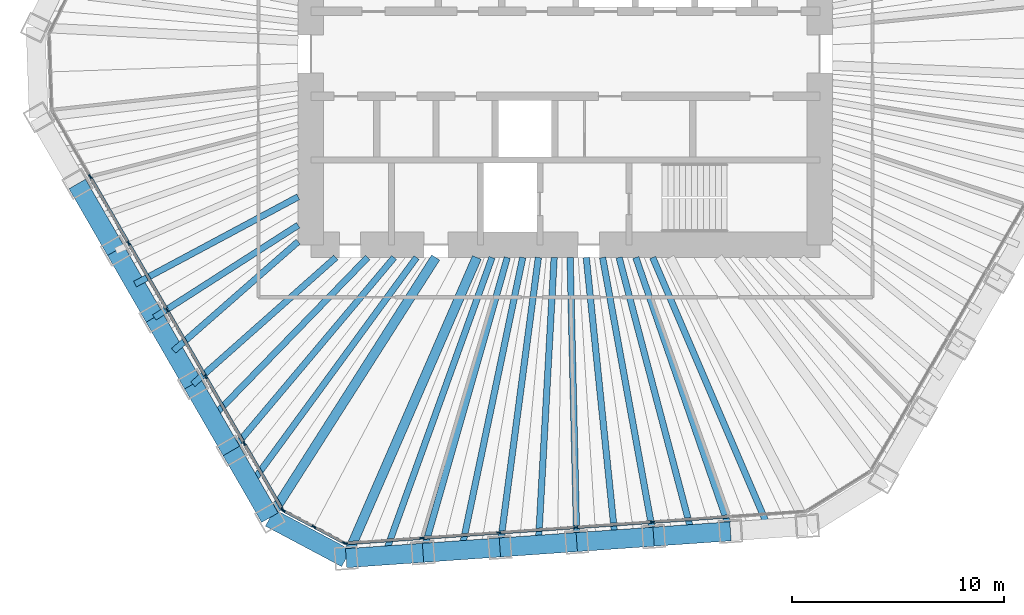
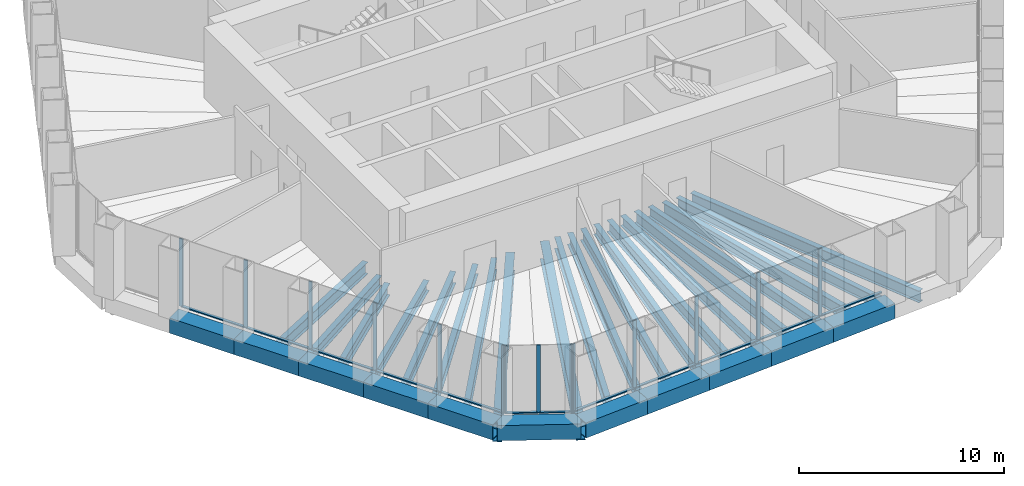
# One storey, part 2 of 13: 31 beams, 26 members, 3 elements without a shape of their own.
"""IFC4 building model written with IfcOpenShell, lengths in metres."""

from ifc_helpers import new_model, si_unit, direction, frame, origin, origin_2d, place, context, subcontext, project, spatial, rectangle, hollow_rectangle, i_section, extrude, material, material_profile, profile_set, type_object, element, aggregate, save


model = new_model("IFC4")

# Units and contexts
model_context = context("Model", 3, precision=1e-05, world=origin(), true_north=direction((0.0, 1.0)))
body_context = subcontext(model_context, "Body", "Model", "MODEL_VIEW")
ifc_project = project(units=[si_unit("LENGTHUNIT", "METRE"), si_unit("AREAUNIT", "SQUARE_METRE"), si_unit("VOLUMEUNIT", "CUBIC_METRE"), si_unit("PLANEANGLEUNIT", "RADIAN"), si_unit("MASSUNIT", "GRAM", prefix="KILO")], contexts=[model_context])

# Site, building, storey
site_placement = place(None, origin())
site = spatial("IfcSite", under=ifc_project, at=site_placement, CompositionType="ELEMENT")
building_placement = place(site_placement, origin())
building = spatial("IfcBuilding", under=site, at=building_placement, Name="Qingtian Harvest Tower", CompositionType="ELEMENT")
storey_placement = place(building_placement, frame((0.0, 0.0, 205.60009765625)))
storey = spatial("IfcBuildingStorey", under=building, at=storey_placement, Name="L44", CompositionType="ELEMENT", Elevation=205.60009765625)

# Beams
ifc_material_1 = material(Name="Steel SM570MC", Category="steel")
ifc_material_profile_1 = material_profile(ifc_material_1, i_section(OverallWidth=0.449951171875, OverallDepth=1.10009765625, WebThickness=0.02197265625, FlangeThickness=0.044921875, at=origin_2d()), Name="H1100x450x22x45")
ifc_profile_set_1 = profile_set([ifc_material_profile_1], Name="Steel SM570MC")
beam_type_1 = type_object("IfcBeamType", Name="Corner floor beam FB8 H1100x450x22x45", PredefinedType="BEAM", material=ifc_profile_set_1)
beam_1_placement = place(storey_placement, frame((-10.33837890625, -23.779052734375, -0.72021484375), z_axis=(0.398714563353, 0.917075077063, 0.0), x_axis=(-0.917075077063, 0.398714563353, 0.0)))
element("IfcBeam", 1, at=beam_1_placement, inside=storey, type_object=beam_type_1, Name="Floor beam FB8 S6", PredefinedType="BEAM", context=body_context, shape_type="SweptSolid", body=[
    extrude(i_section(OverallWidth=0.449951171875, OverallDepth=1.10009765625, WebThickness=0.02197265625, FlangeThickness=0.044921875, at=origin_2d()), origin(), (0.0, 0.0, 1.0), 15.461181640625),
])
beam_2_placement = place(storey_placement, frame((-13.9326171875, -21.8681640625, -0.72021484375), z_axis=(0.537326103898, 0.8433745657, 0.0), x_axis=(-0.8433745657, 0.537326103898, 0.0)))
element("IfcBeam", 2, at=beam_2_placement, inside=storey, type_object=beam_type_1, Name="Floor beam FB8 SW0", PredefinedType="BEAM", context=body_context, shape_type="SweptSolid", body=[
    extrude(i_section(OverallWidth=0.449951171875, OverallDepth=1.10009765625, WebThickness=0.02197265625, FlangeThickness=0.044921875, at=origin_2d()), origin(), (0.0, 0.0, 1.0), 14.54638671875),
])
ifc_material_2 = material(Name="Steel SN490B", Category="steel")
ifc_material_profile_2 = material_profile(ifc_material_2, i_section(OverallWidth=0.300048828125, OverallDepth=0.699951171875, WebThickness=0.012939453125, FlangeThickness=0.02392578125, at=origin_2d()), Name="H700x300x13x24")
ifc_profile_set_2 = profile_set([ifc_material_profile_2], Name="Steel SN490B")
beam_type_2 = type_object("IfcBeamType", Name="Floor beam FB2 H700x300x13x24", PredefinedType="BEAM", material=ifc_profile_set_2)
beam_3_placement = place(storey_placement, frame((-6.713623046875, -23.525634765625, -0.52001953125), z_axis=(0.274411610503, 0.961612327303, 0.0), x_axis=(-0.961612327303, 0.274411610503, 0.0)))
element("IfcBeam", 3, at=beam_3_placement, inside=storey, type_object=beam_type_2, Name="Floor beam FB2 S5", PredefinedType="BEAM", context=body_context, shape_type="SweptSolid", body=[
    extrude(i_section(OverallWidth=0.300048828125, OverallDepth=0.699951171875, WebThickness=0.012939453125, FlangeThickness=0.02392578125, at=origin_2d()), origin(), (0.0, 0.0, 1.0), 14.4814453125),
])
ifc_material_3 = material(Name="Steel SN490B", Category="steel")
ifc_material_profile_3 = material_profile(ifc_material_3, i_section(OverallWidth=0.300048828125, OverallDepth=0.60009765625, WebThickness=0.011962890625, FlangeThickness=0.02001953125, at=origin_2d()), Name="H600x300x12x20")
ifc_profile_set_3 = profile_set([ifc_material_profile_3], Name="Steel SN490B")
beam_type_3 = type_object("IfcBeamType", Name="Floor beam FB3 H600x300x12x20", PredefinedType="BEAM", material=ifc_profile_set_3)
beam_4_placement = place(storey_placement, frame((7.78515625, -22.51171875, -0.47021484375), z_axis=(-0.326844175409, 0.945078242793, 0.0), x_axis=(-0.945078242793, -0.326844175409, 0.0)))
element("IfcBeam", 4, at=beam_4_placement, inside=storey, type_object=beam_type_3, Name="Floor beam FB3 S1", PredefinedType="BEAM", context=body_context, shape_type="SweptSolid", body=[
    extrude(i_section(OverallWidth=0.300048828125, OverallDepth=0.60009765625, WebThickness=0.011962890625, FlangeThickness=0.02001953125, at=origin_2d()), origin(), (0.0, 0.0, 1.0), 13.661865234375),
])
beam_5_placement = place(storey_placement, frame((4.160400390625, -22.76513671875, -0.47021484375), z_axis=(-0.179779537209, 0.983706926885, 0.0), x_axis=(-0.983706926885, -0.179779537209, 0.0)))
element("IfcBeam", 5, at=beam_5_placement, inside=storey, type_object=beam_type_3, Name="Floor beam FB3 S2", PredefinedType="BEAM", context=body_context, shape_type="SweptSolid", body=[
    extrude(i_section(OverallWidth=0.300048828125, OverallDepth=0.60009765625, WebThickness=0.011962890625, FlangeThickness=0.02001953125, at=origin_2d()), origin(), (0.0, 0.0, 1.0), 13.383056640625),
])
beam_6_placement = place(storey_placement, frame((0.53564453125, -23.018798828125, -0.47021484375), z_axis=(-0.023263902078, 0.999729358807, 0.0), x_axis=(-0.999729358807, -0.023263902078, 0.0)))
element("IfcBeam", 6, at=beam_6_placement, inside=storey, type_object=beam_type_3, Name="Floor beam FB3 S3", PredefinedType="BEAM", context=body_context, shape_type="SweptSolid", body=[
    extrude(i_section(OverallWidth=0.300048828125, OverallDepth=0.60009765625, WebThickness=0.011962890625, FlangeThickness=0.02001953125, at=origin_2d()), origin(), (0.0, 0.0, 1.0), 13.42236328125),
])
beam_7_placement = place(storey_placement, frame((-3.089111328125, -23.272216796875, -0.47021484375), z_axis=(0.131593229442, 0.991303799027, 0.0), x_axis=(-0.991303799027, 0.131593229442, 0.0)))
element("IfcBeam", 7, at=beam_7_placement, inside=storey, type_object=beam_type_3, Name="Floor beam FB3 S4", PredefinedType="BEAM", context=body_context, shape_type="SweptSolid", body=[
    extrude(i_section(OverallWidth=0.300048828125, OverallDepth=0.60009765625, WebThickness=0.011962890625, FlangeThickness=0.02001953125, at=origin_2d()), origin(), (0.0, 0.0, 1.0), 13.7919921875),
])
beam_8_placement = place(storey_placement, frame((-15.749267578125, -18.72119140625, -0.47021484375), z_axis=(0.643763532906, 0.765224485821, 0.0), x_axis=(-0.765224485821, 0.643763532906, 0.0)))
element("IfcBeam", 8, at=beam_8_placement, inside=storey, type_object=beam_type_3, Name="Floor beam FB3 SW1", PredefinedType="BEAM", context=body_context, shape_type="SweptSolid", body=[
    extrude(i_section(OverallWidth=0.300048828125, OverallDepth=0.60009765625, WebThickness=0.011962890625, FlangeThickness=0.02001953125, at=origin_2d()), origin(), (0.0, 0.0, 1.0), 11.91943359375),
])
beam_9_placement = place(storey_placement, frame((-17.566162109375, -15.574462890625, -0.47021484375), z_axis=(0.748259768664, 0.663405847577, 0.0), x_axis=(-0.663405847577, 0.748259768664, 0.0)))
element("IfcBeam", 9, at=beam_9_placement, inside=storey, type_object=beam_type_3, Name="Floor beam FB3 SW2", PredefinedType="BEAM", context=body_context, shape_type="SweptSolid", body=[
    extrude(i_section(OverallWidth=0.300048828125, OverallDepth=0.60009765625, WebThickness=0.011962890625, FlangeThickness=0.02001953125, at=origin_2d()), origin(), (0.0, 0.0, 1.0), 9.005615234375),
])
beam_10_placement = place(storey_placement, frame((-19.3828125, -12.427734375, -0.47021484375), z_axis=(0.841823714388, 0.539752567288, 0.0), x_axis=(-0.539752567288, 0.841823714388, 0.0)))
element("IfcBeam", 10, at=beam_10_placement, inside=storey, type_object=beam_type_3, Name="Floor beam FB3 SW3", PredefinedType="BEAM", context=body_context, shape_type="SweptSolid", body=[
    extrude(i_section(OverallWidth=0.300048828125, OverallDepth=0.60009765625, WebThickness=0.011962890625, FlangeThickness=0.02001953125, at=origin_2d()), origin(), (0.0, 0.0, 1.0), 8.05712890625),
])
ifc_material_4 = material(Name="Steel SN490B", Category="steel")
ifc_material_profile_4 = material_profile(ifc_material_4, i_section(OverallWidth=0.300048828125, OverallDepth=0.699951171875, WebThickness=0.012939453125, FlangeThickness=0.02392578125, at=origin_2d()), Name="H700x300x13x24")
ifc_profile_set_4 = profile_set([ifc_material_profile_4], Name="Steel SN490B")
beam_type_4 = type_object("IfcBeamType", Name="Floor joist J2 H700x300x13x24", PredefinedType="JOIST", material=ifc_profile_set_4)
beam_11_placement = place(storey_placement, frame((9.597412109375, -22.385009765625, -0.52001953125), z_axis=(-0.394052741766, 0.919087828614, 0.0), x_axis=(-0.919087828614, -0.394052741766, 0.0)))
element("IfcBeam", 11, at=beam_11_placement, inside=storey, type_object=beam_type_4, Name="Floor joist J2 S0", PredefinedType="JOIST", context=body_context, shape_type="SweptSolid", body=[
    extrude(i_section(OverallWidth=0.300048828125, OverallDepth=0.699951171875, WebThickness=0.012939453125, FlangeThickness=0.02392578125, at=origin_2d()), origin(), (0.0, 0.0, 1.0), 13.910400390625),
])
beam_12_placement = place(storey_placement, frame((5.97265625, -22.638427734375, -0.52001953125), z_axis=(-0.255103716232, 0.9669136952, 0.0), x_axis=(-0.9669136952, -0.255103716232, 0.0)))
element("IfcBeam", 12, at=beam_12_placement, inside=storey, type_object=beam_type_4, Name="Floor joist J2 S1", PredefinedType="JOIST", context=body_context, shape_type="SweptSolid", body=[
    extrude(i_section(OverallWidth=0.300048828125, OverallDepth=0.699951171875, WebThickness=0.012939453125, FlangeThickness=0.02392578125, at=origin_2d()), origin(), (0.0, 0.0, 1.0), 13.484375),
])
beam_13_placement = place(storey_placement, frame((2.347900390625, -22.89208984375, -0.52001953125), z_axis=(-0.102028865499, 0.994781438611, 0.0), x_axis=(-0.994781438611, -0.102028865499, 0.0)))
element("IfcBeam", 13, at=beam_13_placement, inside=storey, type_object=beam_type_4, Name="Floor joist J2 S2", PredefinedType="JOIST", context=body_context, shape_type="SweptSolid", body=[
    extrude(i_section(OverallWidth=0.300048828125, OverallDepth=0.699951171875, WebThickness=0.012939453125, FlangeThickness=0.02392578125, at=origin_2d()), origin(), (0.0, 0.0, 1.0), 13.36181640625),
])
beam_14_placement = place(storey_placement, frame((-1.276611328125, -23.1455078125, -0.52001953125), z_axis=(0.055069329716, 0.998482533109, 0.0), x_axis=(-0.998482533109, 0.055069329716, 0.0)))
element("IfcBeam", 14, at=beam_14_placement, inside=storey, type_object=beam_type_4, Name="Floor joist J2 S3", PredefinedType="JOIST", context=body_context, shape_type="SweptSolid", body=[
    extrude(i_section(OverallWidth=0.300048828125, OverallDepth=0.699951171875, WebThickness=0.012939453125, FlangeThickness=0.02392578125, at=origin_2d()), origin(), (0.0, 0.0, 1.0), 13.56591796875),
])
beam_15_placement = place(storey_placement, frame((-4.9013671875, -23.39892578125, -0.52001953125), z_axis=(0.205016322093, 0.978758554331, 0.0), x_axis=(-0.978758554331, 0.205016322093, 0.0)))
element("IfcBeam", 15, at=beam_15_placement, inside=storey, type_object=beam_type_4, Name="Floor joist J2 S4", PredefinedType="JOIST", context=body_context, shape_type="SweptSolid", body=[
    extrude(i_section(OverallWidth=0.300048828125, OverallDepth=0.699951171875, WebThickness=0.012939453125, FlangeThickness=0.02392578125, at=origin_2d()), origin(), (0.0, 0.0, 1.0), 14.098388671875),
])
beam_16_placement = place(storey_placement, frame((-8.526123046875, -23.65234375, -0.52001953125), z_axis=(0.339126305921, 0.940740850943, 0.0), x_axis=(-0.940740850943, 0.339126305921, 0.0)))
element("IfcBeam", 16, at=beam_16_placement, inside=storey, type_object=beam_type_4, Name="Floor joist J2 S5", PredefinedType="JOIST", context=body_context, shape_type="SweptSolid", body=[
    extrude(i_section(OverallWidth=0.300048828125, OverallDepth=0.699951171875, WebThickness=0.012939453125, FlangeThickness=0.02392578125, at=origin_2d()), origin(), (0.0, 0.0, 1.0), 14.9375),
])
beam_17_placement = place(storey_placement, frame((-14.841064453125, -20.294677734375, -0.52001953125), z_axis=(0.590288677526, 0.807192218238, 0.0), x_axis=(-0.807192218238, 0.590288677526, 0.0)))
element("IfcBeam", 17, at=beam_17_placement, inside=storey, type_object=beam_type_4, Name="Floor joist J2 SW0", PredefinedType="JOIST", context=body_context, shape_type="SweptSolid", body=[
    extrude(i_section(OverallWidth=0.300048828125, OverallDepth=0.699951171875, WebThickness=0.012939453125, FlangeThickness=0.02392578125, at=origin_2d()), origin(), (0.0, 0.0, 1.0), 13.2490234375),
])
beam_18_placement = place(storey_placement, frame((-16.65771484375, -17.14794921875, -0.52001953125), z_axis=(0.696777499009, 0.717287332158, 0.0), x_axis=(-0.717287332158, 0.696777499009, 0.0)))
element("IfcBeam", 18, at=beam_18_placement, inside=storey, type_object=beam_type_4, Name="Floor joist J2 SW1", PredefinedType="JOIST", context=body_context, shape_type="SweptSolid", body=[
    extrude(i_section(OverallWidth=0.300048828125, OverallDepth=0.699951171875, WebThickness=0.012939453125, FlangeThickness=0.02392578125, at=origin_2d()), origin(), (0.0, 0.0, 1.0), 10.522705078125),
])
beam_19_placement = place(storey_placement, frame((-18.474609375, -14.001220703125, -0.52001953125), z_axis=(0.751883296969, 0.659296221542, 0.0), x_axis=(-0.659296221542, 0.751883296969, 0.0)))
element("IfcBeam", 19, at=beam_19_placement, inside=storey, type_object=beam_type_4, Name="Floor joist J2 SW2", PredefinedType="JOIST", context=body_context, shape_type="SweptSolid", body=[
    extrude(i_section(OverallWidth=0.300048828125, OverallDepth=0.699951171875, WebThickness=0.012939453125, FlangeThickness=0.02392578125, at=origin_2d()), origin(), (0.0, 0.0, 1.0), 7.81298828125),
])
beam_20_placement = place(storey_placement, frame((-20.291259765625, -10.8544921875, -0.52001953125), z_axis=(0.881766503154, 0.471686160402, 0.0), x_axis=(-0.471686160402, 0.881766503154, 0.0)))
element("IfcBeam", 20, at=beam_20_placement, inside=storey, type_object=beam_type_4, Name="Floor joist J2 SW3", PredefinedType="JOIST", context=body_context, shape_type="SweptSolid", body=[
    extrude(i_section(OverallWidth=0.300048828125, OverallDepth=0.699951171875, WebThickness=0.012939453125, FlangeThickness=0.02392578125, at=origin_2d()), origin(), (0.0, 0.0, 1.0), 8.722412109375),
])

# Curtain wall, members
ifc_material_5 = material(Name="Bronze-anodised aluminium curtain wall", Category="aluminium")
curtain_wall_type = type_object("IfcCurtainWallType", Name="Curtain wall CW4 office", PredefinedType="USERDEFINED", material=ifc_material_5)
curtain_wall_1_placement = place(storey_placement, origin())
curtain_wall_1 = element("IfcCurtainWall", 21, at=curtain_wall_1_placement, inside=storey, type_object=curtain_wall_type, Name="Curtain wall CW4 L44 S0-5", ObjectType="RECESSED CURTAIN WALL", PredefinedType="USERDEFINED")
ifc_material_6 = material(Name="Bronze-anodised aluminium mullion", Category="aluminium")
ifc_material_profile_5 = material_profile(ifc_material_6, rectangle(XDim=0.06494140625, YDim=0.199951171875, at=origin_2d()), Name="AL 65x200")
ifc_profile_set_5 = profile_set([ifc_material_profile_5], Name="Bronze-anodised aluminium mullion")
member_type_1 = type_object("IfcMemberType", Name="Mullion CWM 65x200", PredefinedType="MULLION", material=ifc_profile_set_5)
member_1_placement = place(storey_placement, frame((4.111572265625, -22.06689453125, 0.0), z_axis=(0.0, 0.0, 1.0), x_axis=(0.069756473744, -0.99756405026, 0.0)))
member_1 = element("IfcMember", 22, at=member_1_placement, type_object=member_type_1, Name="CW4 mullion 3", PredefinedType="MULLION", context=body_context, shape_type="SweptSolid", body=[
    extrude(rectangle(XDim=0.06494140625, YDim=0.199951171875, at=origin_2d()), origin(), (0.0, 0.0, 1.0), 4.02978515625),
])
member_2_placement = place(storey_placement, frame((0.48681640625, -22.3203125, 0.0), z_axis=(0.0, 0.0, 1.0), x_axis=(0.069756473744, -0.99756405026, 0.0)))
member_2 = element("IfcMember", 23, at=member_2_placement, type_object=member_type_1, Name="CW4 mullion 4", PredefinedType="MULLION", context=body_context, shape_type="SweptSolid", body=[
    extrude(rectangle(XDim=0.06494140625, YDim=0.199951171875, at=origin_2d()), origin(), (0.0, 0.0, 1.0), 4.02978515625),
])
member_3_placement = place(storey_placement, frame((-3.137939453125, -22.573974609375, 0.0), z_axis=(0.0, 0.0, 1.0), x_axis=(0.069756473744, -0.99756405026, 0.0)))
member_3 = element("IfcMember", 24, at=member_3_placement, type_object=member_type_1, Name="CW4 mullion 5", PredefinedType="MULLION", context=body_context, shape_type="SweptSolid", body=[
    extrude(rectangle(XDim=0.06494140625, YDim=0.199951171875, at=origin_2d()), origin(), (0.0, 0.0, 1.0), 4.02978515625),
])
member_4_placement = place(storey_placement, frame((-6.762451171875, -22.827392578125, 0.0), z_axis=(0.0, 0.0, 1.0), x_axis=(0.069756473744, -0.99756405026, 0.0)))
member_4 = element("IfcMember", 25, at=member_4_placement, type_object=member_type_1, Name="CW4 mullion 6", PredefinedType="MULLION", context=body_context, shape_type="SweptSolid", body=[
    extrude(rectangle(XDim=0.06494140625, YDim=0.199951171875, at=origin_2d()), origin(), (0.0, 0.0, 1.0), 4.02978515625),
])
member_5_placement = place(storey_placement, frame((-10.354736328125, -23.07861328125, 0.0), z_axis=(0.0, 0.0, 1.0), x_axis=(0.069756473744, -0.99756405026, 0.0)))
member_5 = element("IfcMember", 26, at=member_5_placement, type_object=member_type_1, Name="CW4 mullion 7", PredefinedType="MULLION", context=body_context, shape_type="SweptSolid", body=[
    extrude(rectangle(XDim=0.06494140625, YDim=0.199951171875, at=origin_2d()), origin(), (0.0, 0.0, 1.0), 4.02978515625),
])

curtain_wall_2_placement = place(storey_placement, origin())
curtain_wall_2 = element("IfcCurtainWall", 27, at=curtain_wall_2_placement, inside=storey, type_object=curtain_wall_type, Name="Curtain wall CW4 L44 SC", ObjectType="RECESSED CURTAIN WALL", PredefinedType="USERDEFINED")
member_6_placement = place(storey_placement, frame((-10.416015625, -23.0654296875, 0.0), z_axis=(0.0, 0.0, 1.0), x_axis=(-0.469471562786, -0.882947592859, 0.0)))
member_6 = element("IfcMember", 28, at=member_6_placement, type_object=member_type_1, Name="CW4 mullion 1", PredefinedType="MULLION", context=body_context, shape_type="SweptSolid", body=[
    extrude(rectangle(XDim=0.06494140625, YDim=0.199951171875, at=origin_2d()), origin(), (0.0, 0.0, 1.0), 4.02978515625),
])
member_7_placement = place(storey_placement, frame((-11.85693359375, -22.29931640625, 0.0), z_axis=(0.0, 0.0, 1.0), x_axis=(-0.469471562786, -0.882947592859, 0.0)))
member_7 = element("IfcMember", 29, at=member_7_placement, type_object=member_type_1, Name="CW4 mullion 2", PredefinedType="MULLION", context=body_context, shape_type="SweptSolid", body=[
    extrude(rectangle(XDim=0.06494140625, YDim=0.199951171875, at=origin_2d()), origin(), (0.0, 0.0, 1.0), 4.02978515625),
])
member_8_placement = place(storey_placement, frame((-13.297607421875, -21.533203125, 0.0), z_axis=(0.0, 0.0, 1.0), x_axis=(-0.469471562786, -0.882947592859, 0.0)))
member_8 = element("IfcMember", 30, at=member_8_placement, type_object=member_type_1, Name="CW4 mullion 3", PredefinedType="MULLION", context=body_context, shape_type="SweptSolid", body=[
    extrude(rectangle(XDim=0.06494140625, YDim=0.199951171875, at=origin_2d()), origin(), (0.0, 0.0, 1.0), 4.02978515625),
])

curtain_wall_3_placement = place(storey_placement, origin())
curtain_wall_3 = element("IfcCurtainWall", 31, at=curtain_wall_3_placement, inside=storey, type_object=curtain_wall_type, Name="Curtain wall CW4 L44 SW0-5", ObjectType="RECESSED CURTAIN WALL", PredefinedType="USERDEFINED")
member_9_placement = place(storey_placement, frame((-13.342529296875, -21.489990234375, 0.0), z_axis=(0.0, 0.0, 1.0), x_axis=(-0.866025403784, -0.5, 0.0)))
member_9 = element("IfcMember", 32, at=member_9_placement, type_object=member_type_1, Name="CW4 mullion 1", PredefinedType="MULLION", context=body_context, shape_type="SweptSolid", body=[
    extrude(rectangle(XDim=0.06494140625, YDim=0.199951171875, at=origin_2d()), origin(), (0.0, 0.0, 1.0), 4.02978515625),
])
member_10_placement = place(storey_placement, frame((-15.14306640625, -18.371337890625, 0.0), z_axis=(0.0, 0.0, 1.0), x_axis=(-0.866025403784, -0.5, 0.0)))
member_10 = element("IfcMember", 33, at=member_10_placement, type_object=member_type_1, Name="CW4 mullion 2", PredefinedType="MULLION", context=body_context, shape_type="SweptSolid", body=[
    extrude(rectangle(XDim=0.06494140625, YDim=0.199951171875, at=origin_2d()), origin(), (0.0, 0.0, 1.0), 4.02978515625),
])
member_11_placement = place(storey_placement, frame((-16.9599609375, -15.224609375, 0.0), z_axis=(0.0, 0.0, 1.0), x_axis=(-0.866025403784, -0.5, 0.0)))
member_11 = element("IfcMember", 34, at=member_11_placement, type_object=member_type_1, Name="CW4 mullion 3", PredefinedType="MULLION", context=body_context, shape_type="SweptSolid", body=[
    extrude(rectangle(XDim=0.06494140625, YDim=0.199951171875, at=origin_2d()), origin(), (0.0, 0.0, 1.0), 4.02978515625),
])
member_12_placement = place(storey_placement, frame((-18.776611328125, -12.077880859375, 0.0), z_axis=(0.0, 0.0, 1.0), x_axis=(-0.866025403784, -0.5, 0.0)))
member_12 = element("IfcMember", 35, at=member_12_placement, type_object=member_type_1, Name="CW4 mullion 4", PredefinedType="MULLION", context=body_context, shape_type="SweptSolid", body=[
    extrude(rectangle(XDim=0.06494140625, YDim=0.199951171875, at=origin_2d()), origin(), (0.0, 0.0, 1.0), 4.02978515625),
])
member_13_placement = place(storey_placement, frame((-20.593505859375, -8.93115234375, 0.0), z_axis=(0.0, 0.0, 1.0), x_axis=(-0.866025403784, -0.5, 0.0)))
member_13 = element("IfcMember", 36, at=member_13_placement, type_object=member_type_1, Name="CW4 mullion 5", PredefinedType="MULLION", context=body_context, shape_type="SweptSolid", body=[
    extrude(rectangle(XDim=0.06494140625, YDim=0.199951171875, at=origin_2d()), origin(), (0.0, 0.0, 1.0), 4.02978515625),
])
member_14_placement = place(storey_placement, frame((-22.41015625, -5.784423828125, 0.0), z_axis=(0.0, 0.0, 1.0), x_axis=(-0.866025403784, -0.5, 0.0)))
member_14 = element("IfcMember", 37, at=member_14_placement, type_object=member_type_1, Name="CW4 mullion 6", PredefinedType="MULLION", context=body_context, shape_type="SweptSolid", body=[
    extrude(rectangle(XDim=0.06494140625, YDim=0.199951171875, at=origin_2d()), origin(), (0.0, 0.0, 1.0), 4.02978515625),
])

# Beams
ifc_material_7 = material(Name="Steel SM570MC", Category="steel")
ifc_material_profile_6 = material_profile(ifc_material_7, hollow_rectangle(XDim=0.89990234375, YDim=0.89990234375, WallThickness=0.050048828125, at=origin_2d()), Name="BOX900x900x50")
ifc_profile_set_6 = profile_set([ifc_material_profile_6], Name="Steel SM570MC")
beam_type_5 = type_object("IfcBeamType", Name="Transition spandrel SB6 BOX900x900x50", PredefinedType="SPANDREL", material=ifc_profile_set_6)
for number, where, z_axis, x_axis, name in (
    (38, (7.78515625, -22.51171875, -0.4501953125), (-0.997565001055, -0.069742875402, 0.0), (0.069742875402, -0.997565001055, 0.0), "Spandrel SB6 S1"),
    (39, (4.160400390625, -22.76513671875, -0.4501953125), (-0.997560324246, -0.069809737785, 0.0), (0.069809737785, -0.997560324246, 0.0), "Spandrel SB6 S2"),
    (40, (0.53564453125, -23.018798828125, -0.4501953125), (-0.997565001055, -0.069742875402, 0.0), (0.069742875402, -0.997565001055, 0.0), "Spandrel SB6 S3"),
):
    element("IfcBeam", number, at=place(storey_placement, frame(where, z_axis=z_axis, x_axis=x_axis)), inside=storey, type_object=beam_type_5, Name=name, PredefinedType="SPANDREL", context=body_context, shape_type="SweptSolid", body=[
        extrude(hollow_rectangle(XDim=0.89990234375, YDim=0.89990234375, WallThickness=0.050048828125, at=origin_2d()), origin(), (0.0, 0.0, 1.0), 3.633544921875),
    ])
beam_21_placement = place(storey_placement, frame((-3.089111328125, -23.272216796875, -0.4501953125), z_axis=(-0.997564674207, -0.069747550305, 0.0), x_axis=(0.069747550305, -0.997564674207, 0.0)))
element("IfcBeam", 41, at=beam_21_placement, inside=storey, type_object=beam_type_5, Name="Spandrel SB6 S4", PredefinedType="SPANDREL", context=body_context, shape_type="SweptSolid", body=[
    extrude(hollow_rectangle(XDim=0.89990234375, YDim=0.89990234375, WallThickness=0.050048828125, at=origin_2d()), origin(), (0.0, 0.0, 1.0), 3.63330078125),
])
beam_22_placement = place(storey_placement, frame((-6.713623046875, -23.525634765625, -0.4501953125), z_axis=(-0.997565001055, -0.069742875402, 0.0), x_axis=(0.069742875402, -0.997565001055, 0.0)))
element("IfcBeam", 42, at=beam_22_placement, inside=storey, type_object=beam_type_5, Name="Spandrel SB6 S5", PredefinedType="SPANDREL", context=body_context, shape_type="SweptSolid", body=[
    extrude(hollow_rectangle(XDim=0.89990234375, YDim=0.89990234375, WallThickness=0.050048828125, at=origin_2d()), origin(), (0.0, 0.0, 1.0), 3.633544921875),
])
beam_23_placement = place(storey_placement, frame((-10.33837890625, -23.779052734375, -0.4501953125), z_axis=(-0.882968133669, 0.469432929101, 0.0), x_axis=(-0.469432929101, -0.882968133669, 0.0)))
element("IfcBeam", 43, at=beam_23_placement, inside=storey, type_object=beam_type_5, Name="Spandrel SB6 SC", PredefinedType="SPANDREL", context=body_context, shape_type="SweptSolid", body=[
    extrude(hollow_rectangle(XDim=0.89990234375, YDim=0.89990234375, WallThickness=0.050048828125, at=origin_2d()), origin(), (0.0, 0.0, 1.0), 4.070556640625),
])
beam_24_placement = place(storey_placement, frame((-13.9326171875, -21.8681640625, -0.4501953125), z_axis=(-0.499947341849, 0.866055803848, 0.0), x_axis=(-0.866055803848, -0.499947341849, 0.0)))
element("IfcBeam", 44, at=beam_24_placement, inside=storey, type_object=beam_type_5, Name="Spandrel SB6 SW0", PredefinedType="SPANDREL", context=body_context, shape_type="SweptSolid", body=[
    extrude(hollow_rectangle(XDim=0.89990234375, YDim=0.89990234375, WallThickness=0.050048828125, at=origin_2d()), origin(), (0.0, 0.0, 1.0), 3.6337890625),
])
for number, where, z_axis, x_axis, name in (
    (45, (-15.749267578125, -18.72119140625, -0.4501953125), (-0.500026827678, 0.866009914263, 0.0), (-0.866009914263, -0.500026827678, 0.0), "Spandrel SB6 SW1"),
    (46, (-17.566162109375, -15.574462890625, -0.4501953125), (-0.499976434558, 0.866039008871, 0.0), (-0.866039008871, -0.499976434558, 0.0), "Spandrel SB6 SW2"),
    (47, (-19.3828125, -12.427734375, -0.4501953125), (-0.500026827678, 0.866009914263, 0.0), (-0.866009914263, -0.500026827678, 0.0), "Spandrel SB6 SW3"),
    (48, (-21.19970703125, -9.281005859375, -0.4501953125), (-0.499976434558, 0.866039008871, 0.0), (-0.866039008871, -0.499976434558, 0.0), "Spandrel SB6 SW4"),
):
    element("IfcBeam", number, at=place(storey_placement, frame(where, z_axis=z_axis, x_axis=x_axis)), inside=storey, type_object=beam_type_5, Name=name, PredefinedType="SPANDREL", context=body_context, shape_type="SweptSolid", body=[
        extrude(hollow_rectangle(XDim=0.89990234375, YDim=0.89990234375, WallThickness=0.050048828125, at=origin_2d()), origin(), (0.0, 0.0, 1.0), 3.633544921875),
    ])

# Member
ifc_material_8 = material(Name="Bronze-anodised aluminium transom", Category="aluminium")
ifc_material_profile_7 = material_profile(ifc_material_8, rectangle(XDim=0.14990234375, YDim=0.06494140625, at=origin_2d()), Name="AL 65x150")
ifc_profile_set_7 = profile_set([ifc_material_profile_7], Name="Bronze-anodised aluminium transom")
member_type_2 = type_object("IfcMemberType", Name="Transom CWT 65x150", PredefinedType="USERDEFINED", material=ifc_profile_set_7)
member_15_placement = place(storey_placement, frame((7.703857421875, -21.815673828125, 0.032470703125), z_axis=(-0.997562159126, -0.069783512949, 0.0), x_axis=(0.069783512949, -0.997562159126, 0.0)))
member_15 = element("IfcMember", 49, at=member_15_placement, type_object=member_type_2, Name="CW4 transom 2.1", ObjectType="TRANSOM", PredefinedType="USERDEFINED", context=body_context, shape_type="SweptSolid", body=[
    extrude(rectangle(XDim=0.14990234375, YDim=0.06494140625, at=origin_2d()), origin(), (0.0, 0.0, 1.0), 3.568603515625),
])

member_16_placement = place(storey_placement, frame((4.0791015625, -22.0693359375, 0.032470703125), z_axis=(-0.99756691944, -0.069715430417, 0.0), x_axis=(0.069715430417, -0.99756691944, 0.0)))
member_16 = element("IfcMember", 50, at=member_16_placement, type_object=member_type_2, Name="CW4 transom 3.1", ObjectType="TRANSOM", PredefinedType="USERDEFINED", context=body_context, shape_type="SweptSolid", body=[
    extrude(rectangle(XDim=0.14990234375, YDim=0.06494140625, at=origin_2d()), origin(), (0.0, 0.0, 1.0), 3.568603515625),
])

member_17_placement = place(storey_placement, frame((0.454345703125, -22.32275390625, 0.032470703125), z_axis=(-0.99756691944, -0.069715430417, 0.0), x_axis=(0.069715430417, -0.99756691944, 0.0)))
member_17 = element("IfcMember", 51, at=member_17_placement, type_object=member_type_2, Name="CW4 transom 4.1", ObjectType="TRANSOM", PredefinedType="USERDEFINED", context=body_context, shape_type="SweptSolid", body=[
    extrude(rectangle(XDim=0.14990234375, YDim=0.06494140625, at=origin_2d()), origin(), (0.0, 0.0, 1.0), 3.568603515625),
])

member_18_placement = place(storey_placement, frame((-3.170166015625, -22.576171875, 0.032470703125), z_axis=(-0.997567251922, -0.069710672727, 0.0), x_axis=(0.069710672727, -0.997567251922, 0.0)))
member_18 = element("IfcMember", 52, at=member_18_placement, type_object=member_type_2, Name="CW4 transom 5.1", ObjectType="TRANSOM", PredefinedType="USERDEFINED", context=body_context, shape_type="SweptSolid", body=[
    extrude(rectangle(XDim=0.14990234375, YDim=0.06494140625, at=origin_2d()), origin(), (0.0, 0.0, 1.0), 3.56884765625),
])

member_19_placement = place(storey_placement, frame((-6.794921875, -22.82958984375, 0.032470703125), z_axis=(-0.997565839557, -0.069730880888, 0.0), x_axis=(0.069730880888, -0.997565839557, 0.0)))
member_19 = element("IfcMember", 53, at=member_19_placement, type_object=member_type_2, Name="CW4 transom 6.1", ObjectType="TRANSOM", PredefinedType="USERDEFINED", context=body_context, shape_type="SweptSolid", body=[
    extrude(rectangle(XDim=0.14990234375, YDim=0.06494140625, at=origin_2d()), origin(), (0.0, 0.0, 1.0), 3.5361328125),
])

aggregate(curtain_wall_1, [member_1, member_2, member_3, member_4, member_5, member_15, member_16, member_17, member_18, member_19])

member_20_placement = place(storey_placement, frame((-10.444580078125, -23.05029296875, 0.032470703125), z_axis=(-0.882960338349, 0.46944759122, 0.0), x_axis=(-0.46944759122, -0.882960338349, 0.0)))
member_20 = element("IfcMember", 54, at=member_20_placement, type_object=member_type_2, Name="CW4 transom 1.1", ObjectType="TRANSOM", PredefinedType="USERDEFINED", context=body_context, shape_type="SweptSolid", body=[
    extrude(rectangle(XDim=0.14990234375, YDim=0.06494140625, at=origin_2d()), origin(), (0.0, 0.0, 1.0), 1.56689453125),
])

member_21_placement = place(storey_placement, frame((-11.885498046875, -22.2841796875, 0.032470703125), z_axis=(-0.882960338349, 0.46944759122, 0.0), x_axis=(-0.46944759122, -0.882960338349, 0.0)))
member_21 = element("IfcMember", 55, at=member_21_placement, type_object=member_type_2, Name="CW4 transom 2.1", ObjectType="TRANSOM", PredefinedType="USERDEFINED", context=body_context, shape_type="SweptSolid", body=[
    extrude(rectangle(XDim=0.14990234375, YDim=0.06494140625, at=origin_2d()), origin(), (0.0, 0.0, 1.0), 1.56689453125),
])

aggregate(curtain_wall_2, [member_6, member_7, member_8, member_20, member_21])

member_22_placement = place(storey_placement, frame((-13.35888671875, -21.461669921875, 0.032470703125), z_axis=(-0.500015305566, 0.866016566931, 0.0), x_axis=(-0.866016566931, -0.500015305566, 0.0)))
member_22 = element("IfcMember", 56, at=member_22_placement, type_object=member_type_2, Name="CW4 transom 1.1", ObjectType="TRANSOM", PredefinedType="USERDEFINED", context=body_context, shape_type="SweptSolid", body=[
    extrude(rectangle(XDim=0.14990234375, YDim=0.06494140625, at=origin_2d()), origin(), (0.0, 0.0, 1.0), 3.5361328125),
])

member_23_placement = place(storey_placement, frame((-15.159423828125, -18.34326171875, 0.032470703125), z_axis=(-0.499965259726, 0.866045460162, 0.0), x_axis=(-0.866045460162, -0.499965259726, 0.0)))
member_23 = element("IfcMember", 57, at=member_23_placement, type_object=member_type_2, Name="CW4 transom 2.1", ObjectType="TRANSOM", PredefinedType="USERDEFINED", context=body_context, shape_type="SweptSolid", body=[
    extrude(rectangle(XDim=0.14990234375, YDim=0.06494140625, at=origin_2d()), origin(), (0.0, 0.0, 1.0), 3.568603515625),
])

member_24_placement = place(storey_placement, frame((-16.97607421875, -15.1962890625, 0.032470703125), z_axis=(-0.500046194516, 0.865998731726, 0.0), x_axis=(-0.865998731726, -0.500046194516, 0.0)))
member_24 = element("IfcMember", 58, at=member_24_placement, type_object=member_type_2, Name="CW4 transom 3.1", ObjectType="TRANSOM", PredefinedType="USERDEFINED", context=body_context, shape_type="SweptSolid", body=[
    extrude(rectangle(XDim=0.14990234375, YDim=0.06494140625, at=origin_2d()), origin(), (0.0, 0.0, 1.0), 3.568603515625),
])

member_25_placement = place(storey_placement, frame((-18.79296875, -12.049560546875, 0.032470703125), z_axis=(-0.499994883695, 0.866028357664, 0.0), x_axis=(-0.866028357664, -0.499994883695, 0.0)))
member_25 = element("IfcMember", 59, at=member_25_placement, type_object=member_type_2, Name="CW4 transom 4.1", ObjectType="TRANSOM", PredefinedType="USERDEFINED", context=body_context, shape_type="SweptSolid", body=[
    extrude(rectangle(XDim=0.14990234375, YDim=0.06494140625, at=origin_2d()), origin(), (0.0, 0.0, 1.0), 3.568359375),
])

member_26_placement = place(storey_placement, frame((-20.609619140625, -8.90283203125, 0.032470703125), z_axis=(-0.500046194516, 0.865998731726, 0.0), x_axis=(-0.865998731726, -0.500046194516, 0.0)))
member_26 = element("IfcMember", 60, at=member_26_placement, type_object=member_type_2, Name="CW4 transom 5.1", ObjectType="TRANSOM", PredefinedType="USERDEFINED", context=body_context, shape_type="SweptSolid", body=[
    extrude(rectangle(XDim=0.14990234375, YDim=0.06494140625, at=origin_2d()), origin(), (0.0, 0.0, 1.0), 3.568603515625),
])

aggregate(curtain_wall_3, [member_9, member_10, member_11, member_12, member_13, member_14, member_22, member_23, member_24, member_25, member_26])

save(model, "model.ifc")
